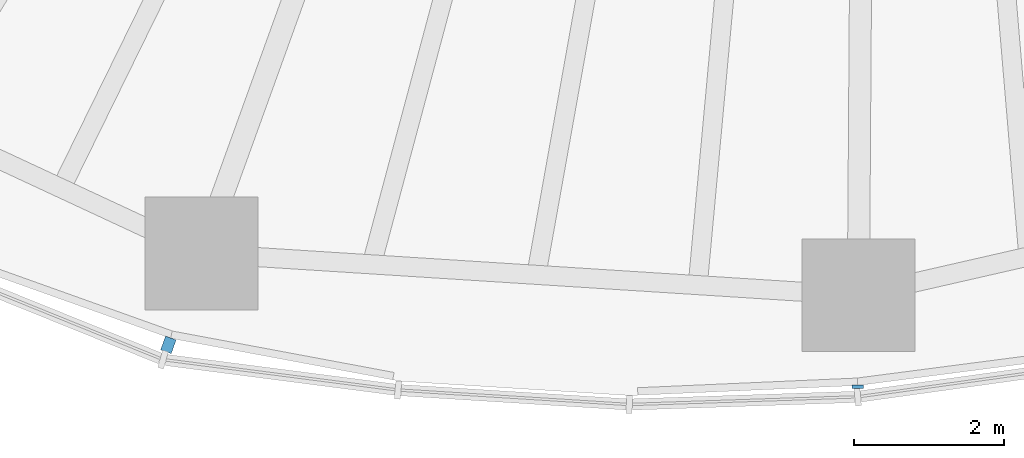
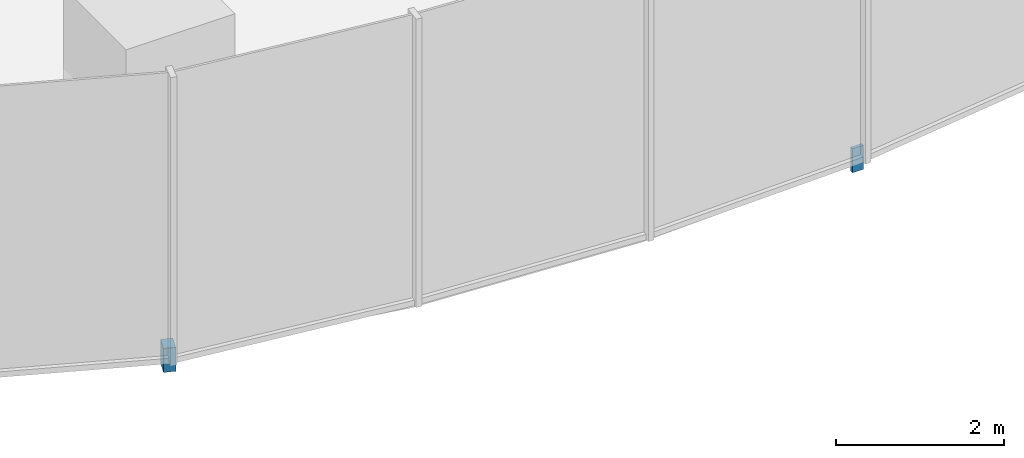
# One storey, part 12 of 18: 2 discrete accessories.
"""IFC4 building model written with IfcOpenShell, lengths in metres."""

from ifc_helpers import new_model, si_unit, direction, frame, origin, origin_2d, place, context, subcontext, project, spatial, rectangle, extrude, material, type_object, element, save


model = new_model("IFC4")

# Units and contexts
model_context = context("Model", 3, precision=1e-05, world=origin(), true_north=direction((0.0, 1.0)))
body_context = subcontext(model_context, "Body", "Model", "MODEL_VIEW")
ifc_project = project(units=[si_unit("LENGTHUNIT", "METRE"), si_unit("AREAUNIT", "SQUARE_METRE"), si_unit("VOLUMEUNIT", "CUBIC_METRE"), si_unit("PLANEANGLEUNIT", "RADIAN"), si_unit("MASSUNIT", "GRAM", prefix="KILO")], contexts=[model_context])

# Site, building, storey
site_placement = place(None, origin())
site = spatial("IfcSite", under=ifc_project, at=site_placement, CompositionType="ELEMENT")
building_placement = place(site_placement, origin())
building = spatial("IfcBuilding", under=site, at=building_placement, Name="Ghaith Harvest Tower", CompositionType="ELEMENT")
storey_placement = place(building_placement, frame((0.0, 0.0, 117.60009765625)))
storey = spatial("IfcBuildingStorey", under=building, at=storey_placement, Name="L24", CompositionType="ELEMENT", Elevation=117.60009765625)

# Discrete accessories
ifc_material_1 = material(Name="Stainless steel grade 1.4401", Category="steel")
discrete_accessory_type_1 = type_object("IfcDiscreteAccessoryType", Name="CURTAIN WALL BRACKET 195", PredefinedType="BRACKET", material=ifc_material_1)
discrete_accessory_1_placement = place(storey_placement, frame((-9.348388671875, -25.883544921875, -0.250244140625), z_axis=(0.0, 0.0, 1.0), x_axis=(-0.33969945263, -0.940534040789, 0.0)))
element("IfcDiscreteAccessory", 1, at=discrete_accessory_1_placement, inside=storey, type_object=discrete_accessory_type_1, Name="CW-L bracket 1 bay 15 L24", PredefinedType="BRACKET", context=body_context, shape_type="SweptSolid", body=[
    extrude(rectangle(XDim=0.195068359375, YDim=0.14990234375, at=origin_2d()), origin(), (0.0, 0.0, 1.0), 0.35009765625),
])
ifc_material_2 = material(Name="Stainless steel grade 1.4401", Category="steel")
discrete_accessory_type_2 = type_object("IfcDiscreteAccessoryType", Name="CURTAIN WALL BRACKET 45", PredefinedType="BRACKET", material=ifc_material_2)
discrete_accessory_2_placement = place(storey_placement, frame((-0.180908203125, -26.441162109375, -0.250244140625), z_axis=(0.0, 0.0, 1.0), x_axis=(-0.006843747957, -0.999976581283, 0.0)))
element("IfcDiscreteAccessory", 2, at=discrete_accessory_2_placement, inside=storey, type_object=discrete_accessory_type_2, Name="CW-L bracket 1 bay 16 L24", PredefinedType="BRACKET", context=body_context, shape_type="SweptSolid", body=[
    extrude(rectangle(XDim=0.044921875, YDim=0.14990234375, at=origin_2d()), origin(), (0.0, 0.0, 1.0), 0.35009765625),
])

save(model, "model.ifc")
